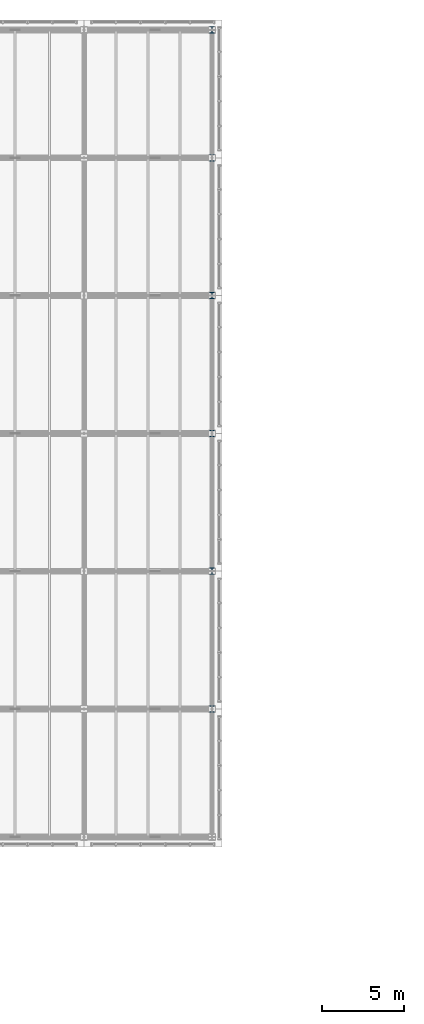
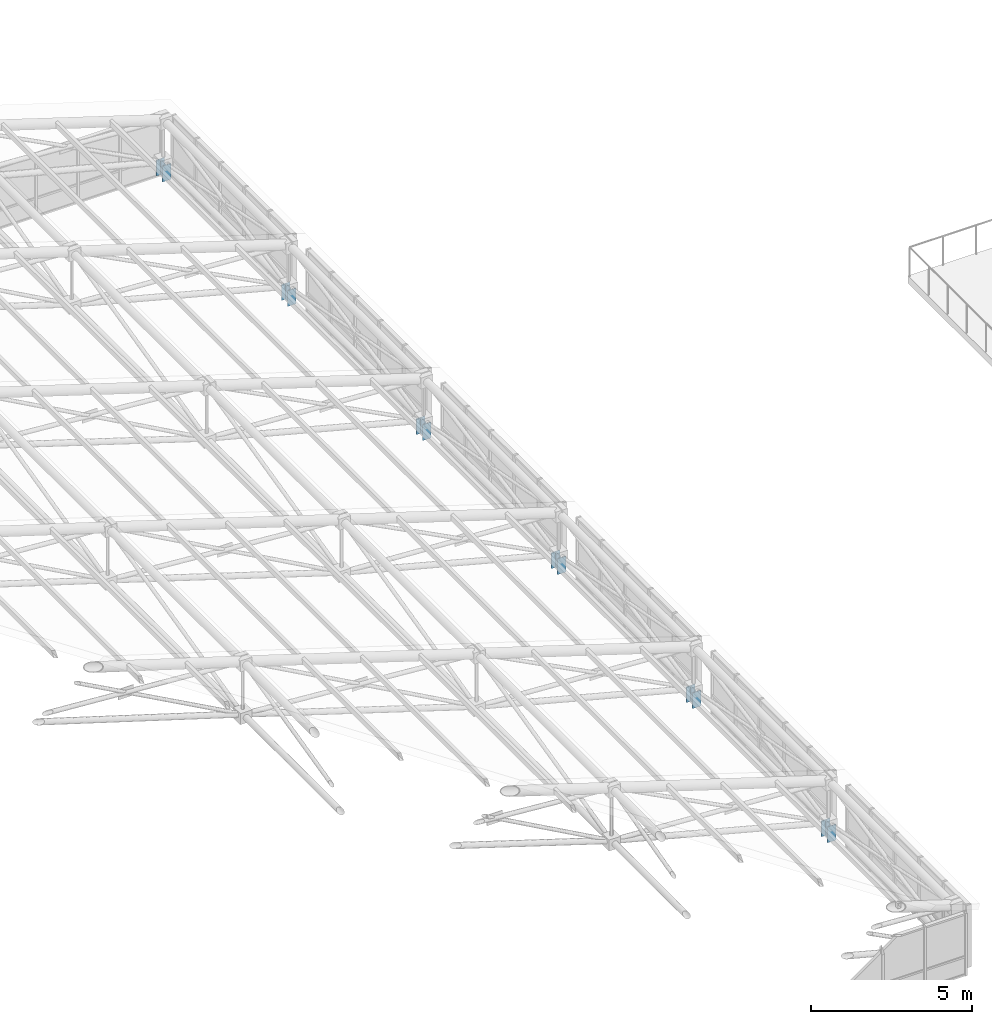
# One storey, part 14 of 144: 6 columns.
"""IFC4 building model written with IfcOpenShell, lengths in metres."""

from ifc_helpers import new_model, si_unit, direction, frame, origin, origin_2d, place, context, subcontext, project, spatial, i_section, extrude, material, material_profile, profile_set, type_object, element, save


model = new_model("IFC4")

# Units and contexts
model_context = context("Model", 3, precision=1e-05, world=origin(), true_north=direction((0.0, 1.0)))
body_context = subcontext(model_context, "Body", "Model", "MODEL_VIEW")
ifc_project = project(units=[si_unit("LENGTHUNIT", "METRE"), si_unit("AREAUNIT", "SQUARE_METRE"), si_unit("VOLUMEUNIT", "CUBIC_METRE"), si_unit("PLANEANGLEUNIT", "RADIAN"), si_unit("MASSUNIT", "GRAM", prefix="KILO")], contexts=[model_context])

# Site, building, storey
site_placement = place(None, origin())
site = spatial("IfcSite", under=ifc_project, at=site_placement, CompositionType="ELEMENT")
building_placement = place(site_placement, origin())
building = spatial("IfcBuilding", under=site, at=building_placement, Name="Zayran Congress Hotel", CompositionType="ELEMENT")
storey_placement = place(building_placement, frame((0.0, 0.0, 19.199951171875)))
storey = spatial("IfcBuildingStorey", under=building, at=storey_placement, Name="L04", CompositionType="ELEMENT", Elevation=19.199951171875)

# Columns
ifc_material = material(Name="Steel S355", Category="steel")
ifc_material_profile = material_profile(ifc_material, i_section(OverallWidth=0.300048828125, OverallDepth=0.39990234375, WebThickness=0.013427734375, FlangeThickness=0.02392578125, at=origin_2d()), Name="HEB 400")
ifc_profile_set = profile_set([ifc_material_profile], Name="Steel S355")
column_type = type_object("IfcColumnType", Name="TP-CL-07", PredefinedType="COLUMN", material=ifc_profile_set)
for number, where, z_axis, x_axis, name in (
    (1, (91.800048828125, 76.0, 0.0), (0.0, 0.0, 1.0), (1.0, 0.0, 0.0), "COL-V1-GAB-1428"),
    (2, (91.800048828125, 84.39990234375, 0.0), (0.0, 0.0, 1.0), (1.0, 0.0, 0.0), "COL-V1-GAB-1429"),
    (3, (91.800048828125, 92.800048828125, 0.0), (0.0, 0.0, 1.0), (1.0, 0.0, 0.0), "COL-V1-GAB-1430"),
    (4, (91.800048828125, 101.199951171875, 0.0), (0.0, 0.0, 1.0), (1.0, 0.0, 0.0), "COL-V1-GAB-1431"),
    (5, (91.800048828125, 109.60009765625, 0.0), (0.0, 0.0, 1.0), (1.0, 0.0, 0.0), "COL-V1-GAB-1432"),
    (6, (91.800048828125, 117.39990234375, 0.0), (0.0, 0.0, 1.0), (1.0, 0.0, 0.0), "COL-V1-GAB-1433"),
):
    element("IfcColumn", number, at=place(storey_placement, frame(where, z_axis=z_axis, x_axis=x_axis)), inside=storey, type_object=column_type, Name=name, PredefinedType="COLUMN", context=body_context, shape_type="SweptSolid", body=[
        extrude(i_section(OverallWidth=0.300048828125, OverallDepth=0.39990234375, WebThickness=0.013427734375, FlangeThickness=0.02392578125, at=origin_2d()), origin(), (0.0, 0.0, 1.0), 0.60009765625),
    ])

save(model, "model.ifc")
